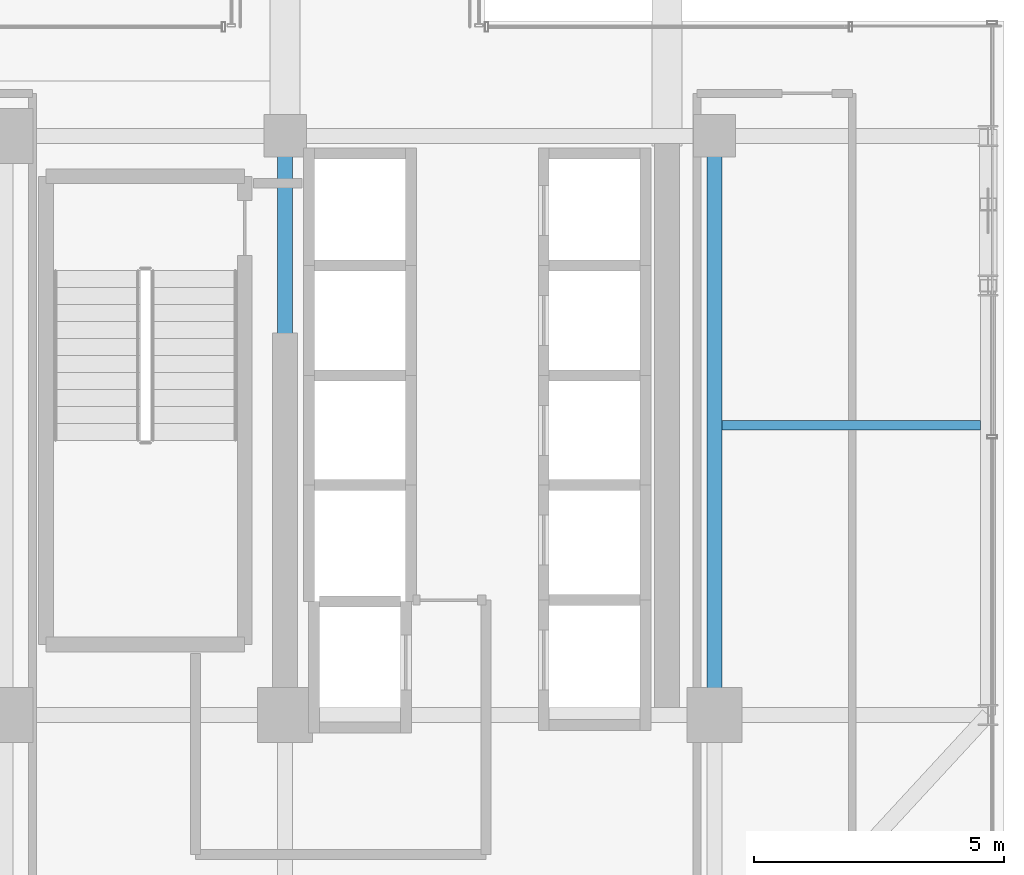
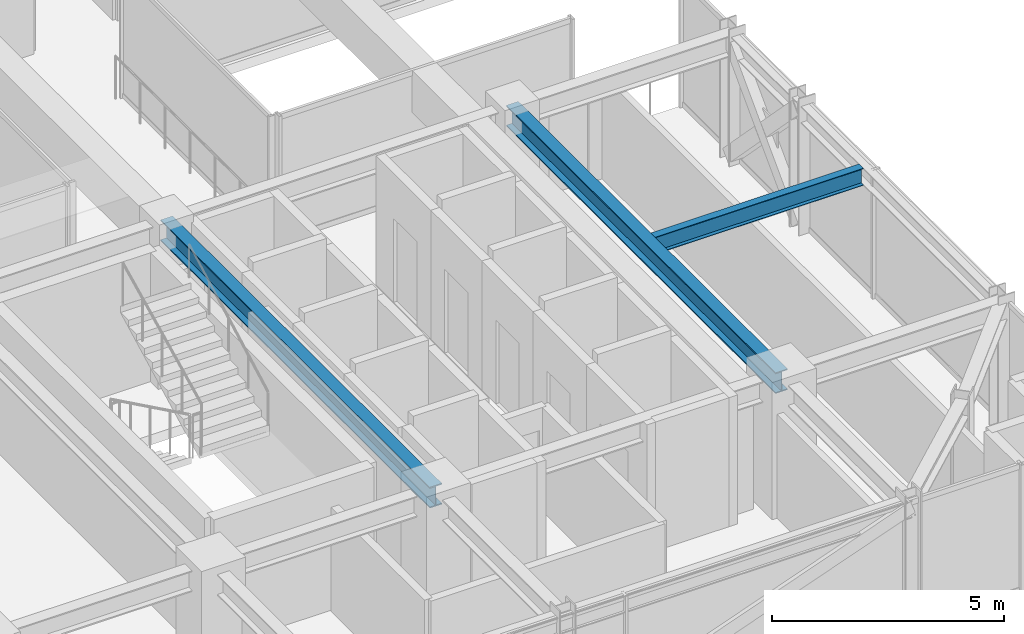
# One storey, part 15 of 43: 3 beams.
"""IFC4 building model written with IfcOpenShell, lengths in metres."""

from ifc_helpers import new_model, si_unit, direction, frame, origin, origin_2d, place, context, subcontext, project, spatial, i_section, extrude, source, transform, mapped, material, material_profile, profile_set, type_object, element, save


model = new_model("IFC4")

# Units and contexts
model_context = context("Model", 3, precision=1e-05, world=origin(), true_north=direction((0.0, 1.0)))
body_context = subcontext(model_context, "Body", "Model", "MODEL_VIEW")
ifc_project = project(units=[si_unit("LENGTHUNIT", "METRE"), si_unit("AREAUNIT", "SQUARE_METRE"), si_unit("VOLUMEUNIT", "CUBIC_METRE"), si_unit("PLANEANGLEUNIT", "RADIAN"), si_unit("MASSUNIT", "GRAM", prefix="KILO")], contexts=[model_context])

# Site, building, storey
site_placement = place(None, origin())
site = spatial("IfcSite", under=ifc_project, at=site_placement, CompositionType="ELEMENT")
building_placement = place(site_placement, origin())
building = spatial("IfcBuilding", under=site, at=building_placement, Name="Nahalor Promenade Grand Hotel", CompositionType="ELEMENT")
storey_placement = place(building_placement, frame((0.0, 0.0, 181.85009765625)))
storey = spatial("IfcBuildingStorey", under=building, at=storey_placement, Name="L46", CompositionType="ELEMENT", Elevation=181.85009765625)

# Beams
ifc_material = material(Name="Steel S355JR", Category="steel")
ifc_material_profile_1 = material_profile(ifc_material, i_section(OverallWidth=0.3, OverallDepth=0.55, WebThickness=0.015, FlangeThickness=0.029, at=origin_2d()), Name="HEB 550")
ifc_profile_set_1 = profile_set([ifc_material_profile_1], Name="Steel S355JR")
beam_type_1 = type_object("IfcBeamType", Name="Beam-Girder-HEB550", PredefinedType="BEAM", material=ifc_profile_set_1)
shared_shape_1 = source(origin(), body_context, "Body", "SweptSolid", [
    extrude(i_section(OverallWidth=0.3, OverallDepth=0.55, WebThickness=0.015, FlangeThickness=0.029, at=origin_2d()), origin(), (0.0, 0.0, 1.0), 11.60009765625),
])
for number, where, z_axis, x_axis, name in (
    (1, (8.39990234375, -17.0, 3.114990234375), (0.0, 1.0, 0.0), (-1.0, 0.0, 0.0), "BM-L46-GY-4-1"),
    (2, (17.0, -17.0, 3.114990234375), (0.0, 1.0, 0.0), (-1.0, 0.0, 0.0), "BM-L46-GY-5-1"),
):
    element("IfcBeam", number, at=place(storey_placement, frame(where, z_axis=z_axis, x_axis=x_axis)), inside=storey, type_object=beam_type_1, Name=name, PredefinedType="BEAM", context=body_context, shape_type="MappedRepresentation", body=[
        mapped(shared_shape_1, transform((0.0, 0.0, 0.0), scale=1.0)),
    ])
ifc_material_profile_2 = material_profile(ifc_material, i_section(OverallWidth=0.19, OverallDepth=0.45, WebThickness=0.0094, FlangeThickness=0.0146, at=origin_2d()), Name="IPE 450")
ifc_profile_set_2 = profile_set([ifc_material_profile_2], Name="Steel S355JR")
beam_type_2 = type_object("IfcBeamType", Name="Beam-Joist-IPE450", PredefinedType="JOIST", material=ifc_profile_set_2)
shared_shape_2 = source(origin(), body_context, "Body", "SweptSolid", [
    extrude(i_section(OverallWidth=0.19, OverallDepth=0.45, WebThickness=0.0094, FlangeThickness=0.0146, at=origin_2d()), origin(), (0.0, 0.0, 1.0), 5.18017578125),
])
beam_placement = place(storey_placement, frame((17.14990234375, -11.199951171875, 3.164794921875), z_axis=(1.0, 0.0, 0.0), x_axis=(0.0, 1.0, 0.0)))
element("IfcBeam", 3, at=beam_placement, inside=storey, type_object=beam_type_2, Name="BM-L46-JSE-0-2", PredefinedType="JOIST", context=body_context, shape_type="MappedRepresentation", body=[
    mapped(shared_shape_2, transform((0.0, 0.0, 0.0), scale=1.0)),
])

save(model, "model.ifc")
